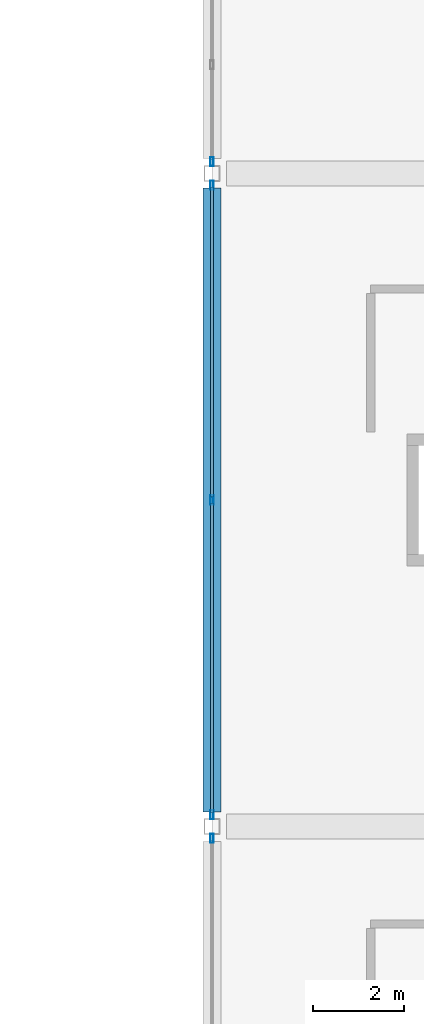
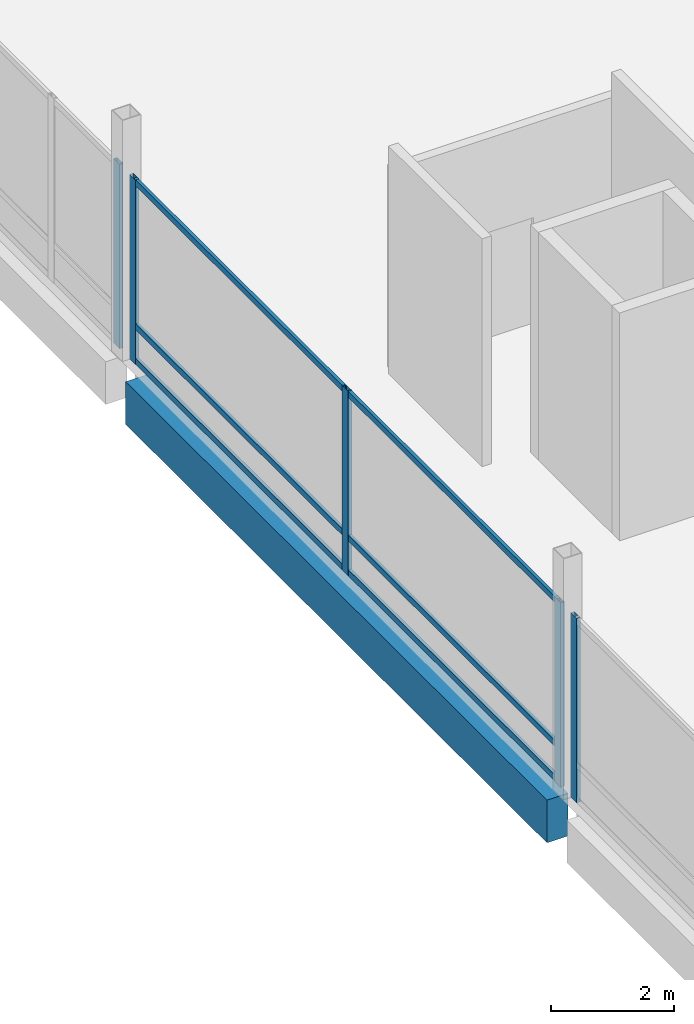
# One storey, part 82 of 193: 11 members, 1 beam, 3 elements without a shape of their own.
"""IFC4 building model written with IfcOpenShell, lengths in metres."""

import ifcopenshell
import ifcopenshell.guid

model = None  # the IFC model being written
_history = None  # IfcOwnerHistory: only IFC2X3 demands one
_inside = {}  # id of a spatial element -> (the spatial element, [elements in it])
_under = {}  # id of a project, library or spatial element -> (it, [spatial elements below it])
_declared = {}  # id of a project -> (the project, [libraries it declares])
_typed = {}  # id of a type object -> (the type object, [elements of that type])
_made_of = {}  # id of a material, layer set ... -> (it, [elements and type objects made of it])


def new_model(schema):
    """Start an empty IFC model of exactly this schema.

    Asked for "IFC4X3", IfcOpenShell would pick the latest addendum, in which some entities
    have other attributes; the version numbers below select the first issue.
    IFC2X3 requires an IfcOwnerHistory on every rooted entity: one is made here for all.
    """
    global model, _history
    if schema == "IFC4X3":
        model = ifcopenshell.file(schema_version=(4, 3, 0, 0))
    else:
        model = ifcopenshell.file(schema=schema)
    _inside.clear()
    _under.clear()
    _declared.clear()
    _typed.clear()
    _made_of.clear()
    _history = None
    if model.schema == "IFC2X3":
        org = make("IfcOrganization", Name="unknown")
        user = make(
            "IfcPersonAndOrganization",
            ThePerson=make("IfcPerson", FamilyName="unknown"),
            TheOrganization=org,
        )
        app = make(
            "IfcApplication",
            ApplicationDeveloper=org,
            Version="unknown",
            ApplicationFullName="unknown",
            ApplicationIdentifier="unknown",
        )
        _history = make(
            "IfcOwnerHistory",
            OwningUser=user,
            OwningApplication=app,
            ChangeAction="ADDED",
            CreationDate=0,
        )
    return model


def make(cls, **values):
    """One entity of the class cls with the attributes given. An attribute that is None is left unset."""
    return model.create_entity(
        cls, **{name: value for name, value in values.items() if value is not None}
    )


def rooted(cls, **values):
    """An entity with a GlobalId (a new one), such as an element, a storey or a relation."""
    return make(cls, GlobalId=ifcopenshell.guid.new(), OwnerHistory=_history, **values)


def si_unit(unit_type, name, prefix=None):
    """IfcSIUnit, for example si_unit("LENGTHUNIT", "METRE", prefix="MILLI")."""
    return make("IfcSIUnit", UnitType=unit_type, Prefix=prefix, Name=name)


def assignment(units):
    """IfcUnitAssignment: the units of a project."""
    return None if units is None else make("IfcUnitAssignment", Units=units)


def point(xyz):
    """IfcCartesianPoint."""
    return None if xyz is None else make("IfcCartesianPoint", Coordinates=xyz)


def direction(xyz):
    """IfcDirection."""
    return None if xyz is None else make("IfcDirection", DirectionRatios=xyz)


def frame(location, z_axis=None, x_axis=None):
    """IfcAxis2Placement3D, a coordinate frame: its origin and axes. An axis left out is left unset."""
    return make(
        "IfcAxis2Placement3D",
        Location=point(location),
        Axis=direction(z_axis),
        RefDirection=direction(x_axis),
    )


def frame_2d(location, x_axis=None):
    """IfcAxis2Placement2D, a coordinate frame in the plane: its origin and x axis."""
    return make(
        "IfcAxis2Placement2D", Location=point(location), RefDirection=direction(x_axis)
    )


def origin():
    """The frame at (0, 0, 0) with its axes left unset."""
    return frame((0.0, 0.0, 0.0))


def origin_2d():
    """The frame at (0, 0) in the plane with its x axis left unset."""
    return frame_2d((0.0, 0.0))


def place(relative_to, where):
    """IfcLocalPlacement: puts the frame where relative to a parent placement (None: the world)."""
    return make(
        "IfcLocalPlacement", PlacementRelTo=relative_to, RelativePlacement=where
    )


def context(
    kind, dimensions, precision=None, world=None, true_north=None, identifier=None
):
    """IfcGeometricRepresentationContext, for example the 3D "Model" context."""
    return make(
        "IfcGeometricRepresentationContext",
        ContextIdentifier=identifier,
        ContextType=kind,
        CoordinateSpaceDimension=dimensions,
        Precision=precision,
        WorldCoordinateSystem=world,
        TrueNorth=true_north,
    )


def subcontext(parent, identifier, kind, view, scale=None):
    """IfcGeometricRepresentationSubContext, for example "Body" below "Model"."""
    return make(
        "IfcGeometricRepresentationSubContext",
        ContextIdentifier=identifier,
        ContextType=kind,
        ParentContext=parent,
        TargetScale=scale,
        TargetView=view,
    )


def project(units=None, contexts=None):
    """IfcProject with its units and contexts."""
    return rooted(
        "IfcProject",
        Name="project",
        RepresentationContexts=contexts,
        UnitsInContext=assignment(units),
    )


def spatial(cls, under=None, at=None, **own):
    """A site, building, storey or space (cls), placed at a placement, below another one or the project."""
    s = rooted(cls, ObjectPlacement=at, **own)
    if under is not None:
        _under.setdefault(under.id(), (under, []))[1].append(s)
    return s


def profile(cls, at=None, kind="AREA", **sizes):
    """A parametric profile (cls). Its sizes go by their IFC names, for example OverallWidth=200.0."""
    return make(cls, ProfileType=kind, Position=at, **sizes)


def rectangle(**sizes):
    """IfcRectangleProfileDef."""
    return profile("IfcRectangleProfileDef", **sizes)


def hollow_rectangle(**sizes):
    """IfcRectangleHollowProfileDef."""
    return profile("IfcRectangleHollowProfileDef", **sizes)


def extrude(swept, where, along, depth):
    """IfcExtrudedAreaSolid: the profile swept, set in the frame where, extruded along a direction by depth."""
    return make(
        "IfcExtrudedAreaSolid",
        SweptArea=swept,
        Position=where,
        ExtrudedDirection=direction(along),
        Depth=depth,
    )


def shape(context_of_items, identifier, shape_type, items):
    """IfcShapeRepresentation: the items that make up one representation, for example the "Body"."""
    return make(
        "IfcShapeRepresentation",
        ContextOfItems=context_of_items,
        RepresentationIdentifier=identifier,
        RepresentationType=shape_type,
        Items=items,
    )


def material(Name=None, Category=None):
    """IfcMaterial."""
    return make("IfcMaterial", Name=Name, Category=Category)


def material_profile(
    of_material, cross_section, Name=None, Category=None, Priority=None
):
    """IfcMaterialProfile: a cross section and its material."""
    return make(
        "IfcMaterialProfile",
        Name=Name,
        Material=of_material,
        Profile=cross_section,
        Priority=Priority,
        Category=Category,
    )


def profile_set(profiles, Name=None, composite=None):
    """IfcMaterialProfileSet."""
    return make(
        "IfcMaterialProfileSet",
        Name=Name,
        MaterialProfiles=profiles,
        CompositeProfile=composite,
    )


def made_of(thing, what):
    """Note that an element or type object is made of a material, layer set ...; save() writes the relation."""
    if what is not None:
        _made_of.setdefault(what.id(), (what, []))[1].append(thing)
    return thing


def type_object(cls, material=None, **own):
    """A type object (cls), such as IfcWallType, which elements share."""
    return made_of(rooted(cls, **own), material)


def element(
    cls,
    number,
    at=None,
    inside=None,
    cuts=None,
    type_object=None,
    material=None,
    context=None,
    identifier="Body",
    shape_type=None,
    held_by="IfcProductDefinitionShape",
    body=None,
    shapes=None,
    **own,
):
    """One element of the class cls, such as IfcWall. Its Tag is "e" and its number.

    at: its placement. inside: the storey or other place that contains it. cuts: it is an
    opening in that element (IfcRelVoidsElement). A single representation is given by context,
    identifier, shape_type and body (its items); several are given by shapes. held_by: the class
    of the entity that holds the representations. save() writes the other relations.
    """
    e = rooted(cls, Tag="e%d" % number, ObjectPlacement=at, **own)
    if body is not None:
        shapes = [shape(context, identifier, shape_type, body)]
    if shapes is not None:
        e.Representation = make(held_by, Representations=shapes)
    if inside is not None:
        _inside.setdefault(inside.id(), (inside, []))[1].append(e)
    if cuts is not None:
        rooted(
            "IfcRelVoidsElement", RelatingBuildingElement=cuts, RelatedOpeningElement=e
        )
    if type_object is not None:
        _typed.setdefault(type_object.id(), (type_object, []))[1].append(e)
    return made_of(e, material)


def aggregate(whole, parts):
    """IfcRelAggregates: a whole, such as a stair, and the parts it consists of."""
    return rooted("IfcRelAggregates", RelatingObject=whole, RelatedObjects=parts)


def save(model, path):
    """Write the relations noted so far, then the file.

    IfcRelAggregates (storeys below a building ...), IfcRelContainedInSpatialStructure (elements
    in a storey), IfcRelDefinesByType, IfcRelAssociatesMaterial and IfcRelDeclares: one each for
    every whole, place, type object, material and project.
    """
    for whole, parts in _under.values():
        aggregate(whole, parts)
    for where, things in _inside.values():
        rooted(
            "IfcRelContainedInSpatialStructure",
            RelatedElements=things,
            RelatingStructure=where,
        )
    for kind, things in _typed.values():
        rooted("IfcRelDefinesByType", RelatedObjects=things, RelatingType=kind)
    for what, things in _made_of.values():
        rooted("IfcRelAssociatesMaterial", RelatedObjects=things, RelatingMaterial=what)
    for by, libraries in _declared.values():
        rooted("IfcRelDeclares", RelatingContext=by, RelatedDefinitions=libraries)
    model.write(path)


model = new_model("IFC4")

# Units and contexts
model_context = context("Model", 3, precision=1e-05, world=origin(), true_north=direction((0.0, 1.0)))
body_context = subcontext(model_context, "Body", "Model", "MODEL_VIEW")
ifc_project = project(units=[si_unit("LENGTHUNIT", "METRE"), si_unit("AREAUNIT", "SQUARE_METRE"), si_unit("VOLUMEUNIT", "CUBIC_METRE"), si_unit("PLANEANGLEUNIT", "RADIAN"), si_unit("MASSUNIT", "GRAM", prefix="KILO")], contexts=[model_context])

# Site, building, storey
site_placement = place(None, origin())
site = spatial("IfcSite", under=ifc_project, at=site_placement, CompositionType="ELEMENT")
building_placement = place(site_placement, origin())
building = spatial("IfcBuilding", under=site, at=building_placement, Name="Cendralis Lancet Convention Centre", CompositionType="ELEMENT")
storey_placement = place(building_placement, frame((0.0, 0.0, 10.199951171875)))
storey = spatial("IfcBuildingStorey", under=building, at=storey_placement, Name="L02", CompositionType="ELEMENT", Elevation=10.199951171875)

# Curtain wall, member
ifc_material_1 = material(Name="Anodised bronze architectural aluminium", Category="aluminium")
curtain_wall_type = type_object("IfcCurtainWallType", Name="ARC-CW-PL02", PredefinedType="USERDEFINED", material=ifc_material_1)
curtain_wall_1_placement = place(storey_placement, origin())
curtain_wall_1 = element("IfcCurtainWall", 1, at=curtain_wall_1_placement, inside=storey, type_object=curtain_wall_type, Name="L02 Curtain Wall CW-PL2 #127", ObjectType="CURTAIN WALL", PredefinedType="USERDEFINED")
ifc_material_profile_1 = material_profile(ifc_material_1, hollow_rectangle(XDim=0.070068359375, YDim=0.199951171875, WallThickness=0.0048828125, at=origin_2d()), Name="AL-MULL 70x200x5.0")
ifc_profile_set_1 = profile_set([ifc_material_profile_1], Name="Anodised bronze architectural aluminium")
member_type_1 = type_object("IfcMemberType", Name="ARC-CW-ML02", PredefinedType="MULLION", material=ifc_profile_set_1)
member_1_placement = place(storey_placement, frame((139.199951171875, 64.5400390625, 0.0), z_axis=(0.0, 0.0, 1.0), x_axis=(1.0, 0.0, 0.0)))
member_1 = element("IfcMember", 2, at=member_1_placement, type_object=member_type_1, Name="Mullion CW2-CW-PL2-L02-127-M2", PredefinedType="MULLION", context=body_context, shape_type="SweptSolid", body=[
    extrude(hollow_rectangle(XDim=0.070068359375, YDim=0.199951171875, WallThickness=0.0048828125, at=origin_2d()), origin(), (0.0, 0.0, 1.0), 3.675048828125),
])
aggregate(curtain_wall_1, [member_1])

# Curtain wall, members
curtain_wall_2_placement = place(storey_placement, origin())
curtain_wall_2 = element("IfcCurtainWall", 3, at=curtain_wall_2_placement, inside=storey, type_object=curtain_wall_type, Name="L02 Curtain Wall CW-PL2 #128", ObjectType="CURTAIN WALL", PredefinedType="USERDEFINED")
member_2_placement = place(storey_placement, frame((139.199951171875, 65.06005859375, 0.0), z_axis=(0.0, 0.0, 1.0), x_axis=(1.0, 0.0, 0.0)))
member_2 = element("IfcMember", 4, at=member_2_placement, type_object=member_type_1, Name="Mullion CW2-CW-PL2-L02-128-M0", PredefinedType="MULLION", context=body_context, shape_type="SweptSolid", body=[
    extrude(hollow_rectangle(XDim=0.070068359375, YDim=0.199951171875, WallThickness=0.0048828125, at=origin_2d()), origin(), (0.0, 0.0, 1.0), 3.675048828125),
])
member_3_placement = place(storey_placement, frame((139.199951171875, 72.0, 0.0), z_axis=(0.0, 0.0, 1.0), x_axis=(1.0, 0.0, 0.0)))
member_3 = element("IfcMember", 5, at=member_3_placement, type_object=member_type_1, Name="Mullion CW2-CW-PL2-L02-128-M1", PredefinedType="MULLION", context=body_context, shape_type="SweptSolid", body=[
    extrude(hollow_rectangle(XDim=0.070068359375, YDim=0.199951171875, WallThickness=0.0048828125, at=origin_2d()), origin(), (0.0, 0.0, 1.0), 3.675048828125),
])
member_4_placement = place(storey_placement, frame((139.199951171875, 78.93994140625, 0.0), z_axis=(0.0, 0.0, 1.0), x_axis=(1.0, 0.0, 0.0)))
member_4 = element("IfcMember", 6, at=member_4_placement, type_object=member_type_1, Name="Mullion CW2-CW-PL2-L02-128-M2", PredefinedType="MULLION", context=body_context, shape_type="SweptSolid", body=[
    extrude(hollow_rectangle(XDim=0.070068359375, YDim=0.199951171875, WallThickness=0.0048828125, at=origin_2d()), origin(), (0.0, 0.0, 1.0), 3.675048828125),
])

# Curtain wall, member
curtain_wall_3_placement = place(storey_placement, origin())
curtain_wall_3 = element("IfcCurtainWall", 7, at=curtain_wall_3_placement, inside=storey, type_object=curtain_wall_type, Name="L02 Curtain Wall CW-PL2 #129", ObjectType="CURTAIN WALL", PredefinedType="USERDEFINED")
member_5_placement = place(storey_placement, frame((139.199951171875, 79.4599609375, 0.0), z_axis=(0.0, 0.0, 1.0), x_axis=(1.0, 0.0, 0.0)))
member_5 = element("IfcMember", 8, at=member_5_placement, type_object=member_type_1, Name="Mullion CW2-CW-PL2-L02-129-M0", PredefinedType="MULLION", context=body_context, shape_type="SweptSolid", body=[
    extrude(hollow_rectangle(XDim=0.070068359375, YDim=0.199951171875, WallThickness=0.0048828125, at=origin_2d()), origin(), (0.0, 0.0, 1.0), 3.675048828125),
])
aggregate(curtain_wall_3, [member_5])

# Member
ifc_material_profile_2 = material_profile(ifc_material_1, hollow_rectangle(XDim=0.06005859375, YDim=0.1201171875, WallThickness=0.00390625, at=origin_2d()), Name="AL-TRAN 60x120x4.0")
ifc_profile_set_2 = profile_set([ifc_material_profile_2], Name="Anodised bronze architectural aluminium")
member_type_2 = type_object("IfcMemberType", Name="ARC-CW-TR01", PredefinedType="USERDEFINED", material=ifc_profile_set_2)
member_6_placement = place(storey_placement, frame((139.199951171875, 65.094970703125, 0.06005859375), z_axis=(0.0, 1.0, 0.0), x_axis=(-1.0, 0.0, 0.0)))
member_6 = element("IfcMember", 9, at=member_6_placement, type_object=member_type_2, Name="Transom CW2-CW-PL2-L02-128-T0BOT", ObjectType="TRANSOM", PredefinedType="USERDEFINED", context=body_context, shape_type="SweptSolid", body=[
    extrude(hollow_rectangle(XDim=0.06005859375, YDim=0.1201171875, WallThickness=0.00390625, at=origin_2d()), origin(), (0.0, 0.0, 1.0), 6.8349609375),
])

member_7_placement = place(storey_placement, frame((139.199951171875, 65.094970703125, 0.75), z_axis=(0.0, 1.0, 0.0), x_axis=(-1.0, 0.0, 0.0)))
member_7 = element("IfcMember", 10, at=member_7_placement, type_object=member_type_2, Name="Transom CW2-CW-PL2-L02-128-T0MID", ObjectType="TRANSOM", PredefinedType="USERDEFINED", context=body_context, shape_type="SweptSolid", body=[
    extrude(hollow_rectangle(XDim=0.06005859375, YDim=0.1201171875, WallThickness=0.00390625, at=origin_2d()), origin(), (0.0, 0.0, 1.0), 6.8349609375),
])

member_8_placement = place(storey_placement, frame((139.199951171875, 65.094970703125, 3.614990234375), z_axis=(0.0, 1.0, 0.0), x_axis=(-1.0, 0.0, 0.0)))
member_8 = element("IfcMember", 11, at=member_8_placement, type_object=member_type_2, Name="Transom CW2-CW-PL2-L02-128-T0TOP", ObjectType="TRANSOM", PredefinedType="USERDEFINED", context=body_context, shape_type="SweptSolid", body=[
    extrude(hollow_rectangle(XDim=0.06005859375, YDim=0.1201171875, WallThickness=0.00390625, at=origin_2d()), origin(), (0.0, 0.0, 1.0), 6.8349609375),
])

member_9_placement = place(storey_placement, frame((139.199951171875, 72.070068359375, 0.06005859375), z_axis=(0.0, 1.0, 0.0), x_axis=(-1.0, 0.0, 0.0)))
member_9 = element("IfcMember", 12, at=member_9_placement, type_object=member_type_2, Name="Transom CW2-CW-PL2-L02-128-T1BOT", ObjectType="TRANSOM", PredefinedType="USERDEFINED", context=body_context, shape_type="SweptSolid", body=[
    extrude(hollow_rectangle(XDim=0.06005859375, YDim=0.1201171875, WallThickness=0.00390625, at=origin_2d()), origin(), (0.0, 0.0, 1.0), 6.8349609375),
])

member_10_placement = place(storey_placement, frame((139.199951171875, 72.070068359375, 0.75), z_axis=(0.0, 1.0, 0.0), x_axis=(-1.0, 0.0, 0.0)))
member_10 = element("IfcMember", 13, at=member_10_placement, type_object=member_type_2, Name="Transom CW2-CW-PL2-L02-128-T1MID", ObjectType="TRANSOM", PredefinedType="USERDEFINED", context=body_context, shape_type="SweptSolid", body=[
    extrude(hollow_rectangle(XDim=0.06005859375, YDim=0.1201171875, WallThickness=0.00390625, at=origin_2d()), origin(), (0.0, 0.0, 1.0), 6.8349609375),
])

member_11_placement = place(storey_placement, frame((139.199951171875, 72.070068359375, 3.614990234375), z_axis=(0.0, 1.0, 0.0), x_axis=(-1.0, 0.0, 0.0)))
member_11 = element("IfcMember", 14, at=member_11_placement, type_object=member_type_2, Name="Transom CW2-CW-PL2-L02-128-T1TOP", ObjectType="TRANSOM", PredefinedType="USERDEFINED", context=body_context, shape_type="SweptSolid", body=[
    extrude(hollow_rectangle(XDim=0.06005859375, YDim=0.1201171875, WallThickness=0.00390625, at=origin_2d()), origin(), (0.0, 0.0, 1.0), 6.8349609375),
])

aggregate(curtain_wall_2, [member_2, member_3, member_4, member_6, member_7, member_8, member_9, member_10, member_11])

# Beam
ifc_material_2 = material(Name="Concrete G40 (C40/50)", Category="concrete")
ifc_material_profile_3 = material_profile(ifc_material_2, rectangle(XDim=0.39990234375, YDim=0.85009765625, at=origin_2d()), Name="RCB 400x850")
ifc_profile_set_3 = profile_set([ifc_material_profile_3], Name="Concrete G40 (C40/50)")
beam_type = type_object("IfcBeamType", Name="STR-SP-SP02", PredefinedType="SPANDREL", material=ifc_profile_set_3)
beam_placement = place(storey_placement, frame((139.199951171875, 65.125, -0.724853515625), z_axis=(0.0, 1.0, 0.0), x_axis=(-1.0, 0.0, 0.0)))
element("IfcBeam", 15, at=beam_placement, inside=storey, type_object=beam_type, Name="L02 Beam SP02 #1479", PredefinedType="SPANDREL", context=body_context, shape_type="SweptSolid", body=[
    extrude(rectangle(XDim=0.39990234375, YDim=0.85009765625, at=origin_2d()), origin(), (0.0, 0.0, 1.0), 13.75),
])

save(model, "model.ifc")
